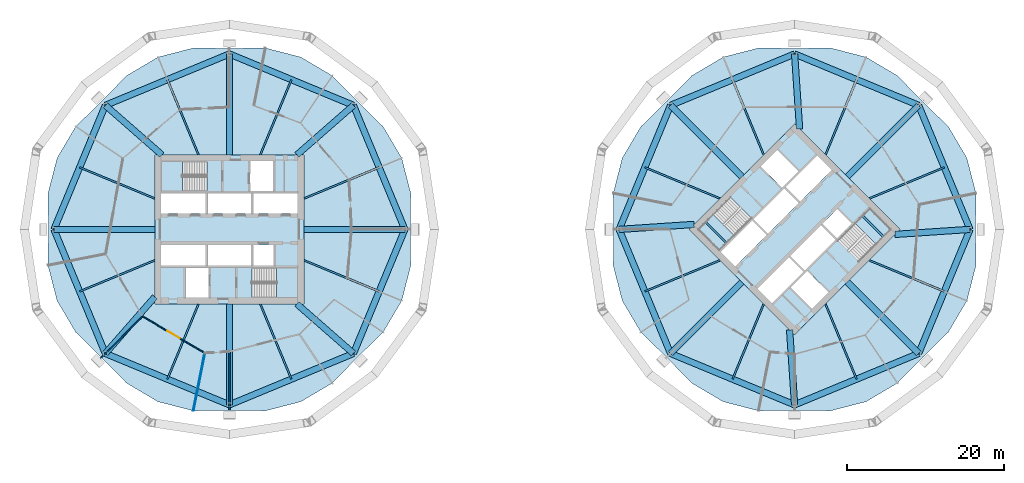
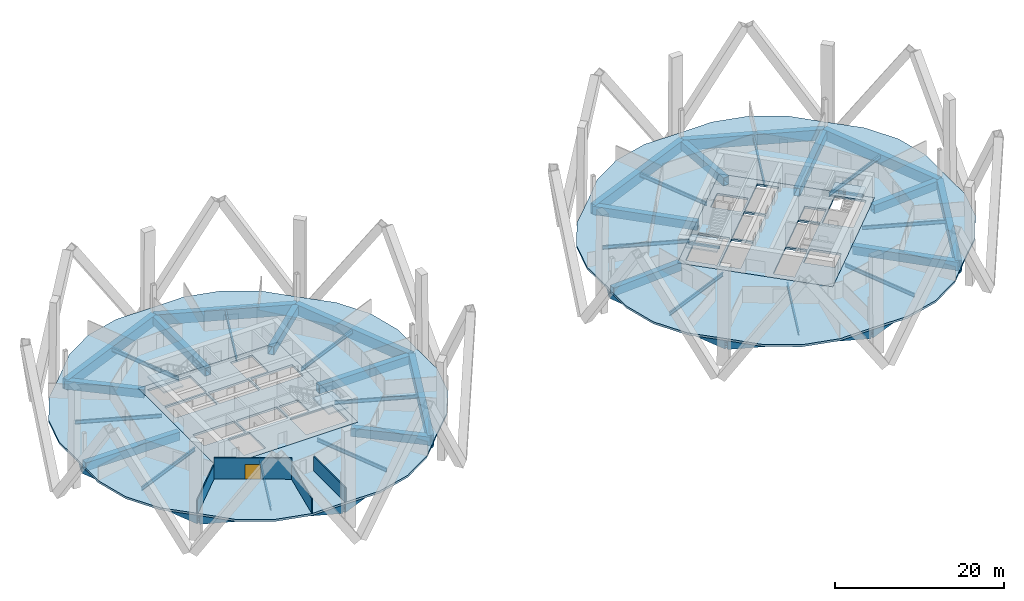
# One storey, part 3 of 10: 50 beams, 8 slabs, 4 walls, 1 door, 1 opening, 4 elements without a shape of their own.
"""IFC4 building model written with IfcOpenShell, lengths in metres."""

from ifc_helpers import new_model, si_unit, direction, frame, frame_2d, origin, origin_2d, place, context, subcontext, project, spatial, polyline, rectangle, hollow_rectangle, i_section, outline, extrude, material, layer, layer_set, material_profile, profile_set, type_object, element, fill, aggregate, save


model = new_model("IFC4")

# Units and contexts
model_context = context("Model", 3, precision=1e-05, world=origin(), true_north=direction((0.0, 1.0)))
body_context = subcontext(model_context, "Body", "Model", "MODEL_VIEW")
ifc_project = project(units=[si_unit("LENGTHUNIT", "METRE"), si_unit("AREAUNIT", "SQUARE_METRE"), si_unit("VOLUMEUNIT", "CUBIC_METRE"), si_unit("PLANEANGLEUNIT", "RADIAN"), si_unit("MASSUNIT", "GRAM", prefix="KILO")], contexts=[model_context])

# Site, building, storey
site_placement = place(None, origin())
site = spatial("IfcSite", under=ifc_project, at=site_placement, CompositionType="ELEMENT")
building_placement = place(site_placement, origin())
building = spatial("IfcBuilding", under=site, at=building_placement, Name="Ogive Gate Towers", CompositionType="ELEMENT")
storey_placement = place(building_placement, frame((0.0, 0.0, 119.10009765625)))
storey = spatial("IfcBuildingStorey", under=building, at=storey_placement, Name="L28", CompositionType="ELEMENT", Elevation=119.10009765625)

# Beams
ifc_material_1 = material(Name="Steel SM460", Category="steel")
ifc_material_profile_1 = material_profile(ifc_material_1, hollow_rectangle(XDim=0.800048828125, YDim=1.5, WallThickness=0.06005859375, at=origin_2d()), Name="BX 1500x800x60")
ifc_profile_set_1 = profile_set([ifc_material_profile_1], Name="Steel SM460")
beam_type_1 = type_object("IfcBeamType", Name="Edge girder BX 1500x800x60", PredefinedType="BEAM", material=ifc_profile_set_1)
for number, where, z_axis, x_axis, name in (
    (1, (-51.803955078125, -15.803955078125, -1.050048828125), (0.923880978344, -0.382679941797, 0.0), (0.382679941797, 0.923880978344, 0.0), "T1/L28/SBM017"),
    (2, (-36.0, -22.35009765625, -1.050048828125), (0.923880978344, 0.382679941797, 0.0), (-0.382679941797, 0.923880978344, 0.0), "T1/L28/SBM018"),
    (3, (-20.196044921875, -15.803955078125, -1.050048828125), (0.382679941797, 0.923880978344, 0.0), (-0.923880978344, 0.382679941797, 0.0), "T1/L28/SBM019"),
    (4, (-13.64990234375, 0.0, -1.050048828125), (-0.382679941797, 0.923880978344, 0.0), (-0.923880978344, -0.382679941797, 0.0), "T1/L28/SBM020"),
    (5, (-20.196044921875, 15.803955078125, -1.050048828125), (-0.923880978344, 0.382679941797, 0.0), (-0.382679941797, -0.923880978344, 0.0), "T1/L28/SBM021"),
    (6, (-36.0, 22.35009765625, -1.050048828125), (-0.923880978344, -0.382679941797, 0.0), (0.382679941797, -0.923880978344, 0.0), "T1/L28/SBM022"),
    (7, (-51.803955078125, 15.803955078125, -1.050048828125), (-0.382679941797, -0.923880978344, 0.0), (0.923880978344, -0.382679941797, 0.0), "T1/L28/SBM023"),
    (8, (-58.35009765625, 0.0, -1.050048828125), (0.382679941797, -0.923880978344, 0.0), (0.923880978344, 0.382679941797, 0.0), "T1/L28/SBM024"),
    (9, (20.196044921875, -15.803955078125, -1.050048828125), (0.923880978344, -0.382679941797, 0.0), (0.382679941797, 0.923880978344, 0.0), "T2/L28/SBM017"),
    (10, (36.0, -22.35009765625, -1.050048828125), (0.923880978344, 0.382679941797, 0.0), (-0.382679941797, 0.923880978344, 0.0), "T2/L28/SBM018"),
    (11, (51.803955078125, -15.803955078125, -1.050048828125), (0.382679941797, 0.923880978344, 0.0), (-0.923880978344, 0.382679941797, 0.0), "T2/L28/SBM019"),
    (12, (58.35009765625, 0.0, -1.050048828125), (-0.382679941797, 0.923880978344, 0.0), (-0.923880978344, -0.382679941797, 0.0), "T2/L28/SBM020"),
    (13, (51.803955078125, 15.803955078125, -1.050048828125), (-0.923880978344, 0.382679941797, 0.0), (-0.382679941797, -0.923880978344, 0.0), "T2/L28/SBM021"),
    (14, (36.0, 22.35009765625, -1.050048828125), (-0.923880978344, -0.382679941797, 0.0), (0.382679941797, -0.923880978344, 0.0), "T2/L28/SBM022"),
    (15, (20.196044921875, 15.803955078125, -1.050048828125), (-0.382679941797, -0.923880978344, 0.0), (0.923880978344, -0.382679941797, 0.0), "T2/L28/SBM023"),
    (16, (13.64990234375, 0.0, -1.050048828125), (0.382679941797, -0.923880978344, 0.0), (0.923880978344, 0.382679941797, 0.0), "T2/L28/SBM024"),
):
    element("IfcBeam", number, at=place(storey_placement, frame(where, z_axis=z_axis, x_axis=x_axis)), inside=storey, type_object=beam_type_1, Name=name, PredefinedType="BEAM", context=body_context, shape_type="SweptSolid", body=[
        extrude(hollow_rectangle(XDim=0.800048828125, YDim=1.5, WallThickness=0.06005859375, at=origin_2d()), origin(), (0.0, 0.0, 1.0), 17.10595703125),
    ])
ifc_material_2 = material(Name="Concrete C40/50", Category="concrete")
ifc_material_profile_2 = material_profile(ifc_material_2, rectangle(XDim=0.25, YDim=0.300048828125, at=origin_2d()), Name="RC 250x300")
ifc_profile_set_2 = profile_set([ifc_material_profile_2], Name="Concrete C40/50")
beam_type_2 = type_object("IfcBeamType", Name="Landing bearer RC 250x300", PredefinedType="BEAM", material=ifc_profile_set_2)
for number, where, z_axis, x_axis, name in (
    (17, (24.650390625, 0.9541015625, 1.599853515625), (0.707106781187, -0.707106781187, 0.0), (0.707106781187, 0.707106781187, 0.0), "T2 L28 stair 1 landing bearer 1"),
    (18, (47.349609375, -0.9541015625, 1.599853515625), (-0.707106781187, 0.707106781187, 0.0), (-0.707106781187, -0.707106781187, 0.0), "T2 L28 stair 2 landing bearer 1"),
):
    element("IfcBeam", number, at=place(storey_placement, frame(where, z_axis=z_axis, x_axis=x_axis)), inside=storey, type_object=beam_type_2, Name=name, PredefinedType="BEAM", context=body_context, shape_type="SweptSolid", body=[
        extrude(rectangle(XDim=0.25, YDim=0.300048828125, at=origin_2d()), origin(), (0.0, 0.0, 1.0), 3.824951171875),
    ])
ifc_material_3 = material(Name="Steel SM355", Category="steel")
ifc_material_profile_3 = material_profile(ifc_material_3, i_section(OverallWidth=0.2099609375, OverallDepth=0.550048828125, WebThickness=0.010986328125, FlangeThickness=0.01708984375, FilletRadius=0.02392578125, at=origin_2d()), Name="IPE 550")
ifc_profile_set_3 = profile_set([ifc_material_profile_3], Name="Steel SM355")
beam_type_3 = type_object("IfcBeamType", Name="Radial floor beam IPE 550", PredefinedType="BEAM", material=ifc_profile_set_3)
for number, where, z_axis, x_axis, name in (
    (19, (-39.93505859375, -9.5, -0.5751953125), (-0.382676287498, -0.92388249198, 0.0), (0.92388249198, -0.382676287498, 0.0), "T1/L28/SBM002"),
    (20, (-32.06494140625, -9.5, -0.5751953125), (0.382676287498, -0.92388249198, 0.0), (0.92388249198, 0.382676287498, 0.0), "T1/L28/SBM004"),
    (21, (-26.5, -3.93505859375, -0.5751953125), (0.92388249198, -0.382676287498, 0.0), (0.382676287498, 0.92388249198, 0.0), "T1/L28/SBM006"),
    (22, (-26.5, 3.93505859375, -0.5751953125), (0.92388249198, 0.382676287498, 0.0), (-0.382676287498, 0.92388249198, 0.0), "T1/L28/SBM008"),
    (23, (-32.06494140625, 9.5, -0.5751953125), (0.382676287498, 0.92388249198, 0.0), (-0.92388249198, 0.382676287498, 0.0), "T1/L28/SBM010"),
    (24, (-39.93505859375, 9.5, -0.5751953125), (-0.382676287498, 0.92388249198, 0.0), (-0.92388249198, -0.382676287498, 0.0), "T1/L28/SBM012"),
    (25, (-45.5, 3.93505859375, -0.5751953125), (-0.92388249198, 0.382676287498, 0.0), (-0.382676287498, -0.92388249198, 0.0), "T1/L28/SBM014"),
    (26, (-45.5, -3.93505859375, -0.5751953125), (-0.92388249198, -0.382676287498, 0.0), (0.382676287498, -0.92388249198, 0.0), "T1/L28/SBM016"),
    (27, (32.06494140625, -9.5, -0.5751953125), (-0.382676287498, -0.92388249198, 0.0), (0.92388249198, -0.382676287498, 0.0), "T2/L28/SBM002"),
    (28, (39.93505859375, -9.5, -0.5751953125), (0.382676287498, -0.92388249198, 0.0), (0.92388249198, 0.382676287498, 0.0), "T2/L28/SBM004"),
    (29, (45.5, -3.93505859375, -0.5751953125), (0.92388249198, -0.382676287498, 0.0), (0.382676287498, 0.92388249198, 0.0), "T2/L28/SBM006"),
    (30, (45.5, 3.93505859375, -0.5751953125), (0.92388249198, 0.382676287498, 0.0), (-0.382676287498, 0.92388249198, 0.0), "T2/L28/SBM008"),
    (31, (39.93505859375, 9.5, -0.5751953125), (0.382676287498, 0.92388249198, 0.0), (-0.92388249198, 0.382676287498, 0.0), "T2/L28/SBM010"),
    (32, (32.06494140625, 9.5, -0.5751953125), (-0.382676287498, 0.92388249198, 0.0), (-0.92388249198, -0.382676287498, 0.0), "T2/L28/SBM012"),
    (33, (26.5, 3.93505859375, -0.5751953125), (-0.92388249198, 0.382676287498, 0.0), (-0.382676287498, -0.92388249198, 0.0), "T2/L28/SBM014"),
    (34, (26.5, -3.93505859375, -0.5751953125), (-0.92388249198, -0.382676287498, 0.0), (0.382676287498, -0.92388249198, 0.0), "T2/L28/SBM016"),
):
    element("IfcBeam", number, at=place(storey_placement, frame(where, z_axis=z_axis, x_axis=x_axis)), inside=storey, type_object=beam_type_3, Name=name, PredefinedType="BEAM", context=body_context, shape_type="SweptSolid", body=[
        extrude(i_section(OverallWidth=0.2099609375, OverallDepth=0.550048828125, WebThickness=0.010986328125, FlangeThickness=0.01708984375, FilletRadius=0.02392578125, at=origin_2d()), origin(), (0.0, 0.0, 1.0), 10.365966796875),
    ])
ifc_material_profile_4 = material_profile(ifc_material_1, hollow_rectangle(XDim=0.800048828125, YDim=1.199951171875, WallThickness=0.050048828125, at=origin_2d()), Name="BX 1200x800x50")
ifc_profile_set_4 = profile_set([ifc_material_profile_4], Name="Steel SM460")
beam_type_4 = type_object("IfcBeamType", Name="Transfer radial beam BX 1200x800x50", PredefinedType="BEAM", material=ifc_profile_set_4)
beam_1_placement = place(storey_placement, frame((-45.5, -8.60009765625, -0.900146484375), z_axis=(-0.658538913457, -0.752546675937, 0.0), x_axis=(0.752546675937, -0.658538913457, 0.0)))
element("IfcBeam", 35, at=beam_1_placement, inside=storey, type_object=beam_type_4, Name="T1/L28/SBM001", PredefinedType="BEAM", context=body_context, shape_type="SweptSolid", body=[
    extrude(hollow_rectangle(XDim=0.800048828125, YDim=1.199951171875, WallThickness=0.050048828125, at=origin_2d()), origin(), (0.0, 0.0, 1.0), 9.57275390625),
])
beam_2_placement = place(storey_placement, frame((-36.0, -9.5, -0.900146484375), z_axis=(0.0, -1.0, 0.0), x_axis=(1.0, 0.0, 0.0)))
element("IfcBeam", 36, at=beam_2_placement, inside=storey, type_object=beam_type_4, Name="T1/L28/SBM003", PredefinedType="BEAM", context=body_context, shape_type="SweptSolid", body=[
    extrude(hollow_rectangle(XDim=0.800048828125, YDim=1.199951171875, WallThickness=0.050048828125, at=origin_2d()), origin(), (0.0, 0.0, 1.0), 12.85009765625),
])
beam_3_placement = place(storey_placement, frame((-27.39990234375, -9.5, -0.900146484375), z_axis=(0.752546675937, -0.658538913457, 0.0), x_axis=(0.658538913457, 0.752546675937, 0.0)))
element("IfcBeam", 37, at=beam_3_placement, inside=storey, type_object=beam_type_4, Name="T1/L28/SBM005", PredefinedType="BEAM", context=body_context, shape_type="SweptSolid", body=[
    extrude(hollow_rectangle(XDim=0.800048828125, YDim=1.199951171875, WallThickness=0.050048828125, at=origin_2d()), origin(), (0.0, 0.0, 1.0), 9.57275390625),
])
beam_4_placement = place(storey_placement, frame((-26.5, 0.0, -0.900146484375), z_axis=(1.0, 0.0, 0.0), x_axis=(0.0, 1.0, 0.0)))
element("IfcBeam", 38, at=beam_4_placement, inside=storey, type_object=beam_type_4, Name="T1/L28/SBM007", PredefinedType="BEAM", context=body_context, shape_type="SweptSolid", body=[
    extrude(hollow_rectangle(XDim=0.800048828125, YDim=1.199951171875, WallThickness=0.050048828125, at=origin_2d()), origin(), (0.0, 0.0, 1.0), 12.85009765625),
])
beam_5_placement = place(storey_placement, frame((-27.39990234375, 9.5, -0.900146484375), z_axis=(0.752546675937, 0.658538913457, 0.0), x_axis=(-0.658538913457, 0.752546675937, 0.0)))
element("IfcBeam", 39, at=beam_5_placement, inside=storey, type_object=beam_type_4, Name="T1/L28/SBM009", PredefinedType="BEAM", context=body_context, shape_type="SweptSolid", body=[
    extrude(hollow_rectangle(XDim=0.800048828125, YDim=1.199951171875, WallThickness=0.050048828125, at=origin_2d()), origin(), (0.0, 0.0, 1.0), 9.57275390625),
])
beam_6_placement = place(storey_placement, frame((-36.0, 9.5, -0.900146484375), z_axis=(0.0, 1.0, 0.0), x_axis=(-1.0, 0.0, 0.0)))
element("IfcBeam", 40, at=beam_6_placement, inside=storey, type_object=beam_type_4, Name="T1/L28/SBM011", PredefinedType="BEAM", context=body_context, shape_type="SweptSolid", body=[
    extrude(hollow_rectangle(XDim=0.800048828125, YDim=1.199951171875, WallThickness=0.050048828125, at=origin_2d()), origin(), (0.0, 0.0, 1.0), 12.85009765625),
])
beam_7_placement = place(storey_placement, frame((-44.60009765625, 9.5, -0.900146484375), z_axis=(-0.752546675937, 0.658538913457, 0.0), x_axis=(-0.658538913457, -0.752546675937, 0.0)))
element("IfcBeam", 41, at=beam_7_placement, inside=storey, type_object=beam_type_4, Name="T1/L28/SBM013", PredefinedType="BEAM", context=body_context, shape_type="SweptSolid", body=[
    extrude(hollow_rectangle(XDim=0.800048828125, YDim=1.199951171875, WallThickness=0.050048828125, at=origin_2d()), origin(), (0.0, 0.0, 1.0), 9.57275390625),
])
for number, where, z_axis, x_axis, name in (
    (42, (-45.5, 0.0, -0.900146484375), (-1.0, 0.0, 0.0), (0.0, -1.0, 0.0), "T1/L28/SBM015"),
    (43, (29.282470703125, -6.717529296875, -0.900146484375), (-0.707106781187, -0.707106781187, 0.0), (0.707106781187, -0.707106781187, 0.0), "T2/L28/SBM001"),
):
    element("IfcBeam", number, at=place(storey_placement, frame(where, z_axis=z_axis, x_axis=x_axis)), inside=storey, type_object=beam_type_4, Name=name, PredefinedType="BEAM", context=body_context, shape_type="SweptSolid", body=[
        extrude(hollow_rectangle(XDim=0.800048828125, YDim=1.199951171875, WallThickness=0.050048828125, at=origin_2d()), origin(), (0.0, 0.0, 1.0), 12.85009765625),
    ])
beam_8_placement = place(storey_placement, frame((35.363525390625, -12.798583984375, -0.900146484375), z_axis=(0.066488541289, -0.997787188672, 0.0), x_axis=(0.997787188672, 0.066488541289, 0.0)))
element("IfcBeam", 44, at=beam_8_placement, inside=storey, type_object=beam_type_4, Name="T2/L28/SBM003", PredefinedType="BEAM", context=body_context, shape_type="SweptSolid", body=[
    extrude(hollow_rectangle(XDim=0.800048828125, YDim=1.199951171875, WallThickness=0.050048828125, at=origin_2d()), origin(), (0.0, 0.0, 1.0), 9.57275390625),
])
beam_9_placement = place(storey_placement, frame((42.717529296875, -6.717529296875, -0.900146484375), z_axis=(0.707106781187, -0.707106781187, 0.0), x_axis=(0.707106781187, 0.707106781187, 0.0)))
element("IfcBeam", 45, at=beam_9_placement, inside=storey, type_object=beam_type_4, Name="T2/L28/SBM005", PredefinedType="BEAM", context=body_context, shape_type="SweptSolid", body=[
    extrude(hollow_rectangle(XDim=0.800048828125, YDim=1.199951171875, WallThickness=0.050048828125, at=origin_2d()), origin(), (0.0, 0.0, 1.0), 12.85009765625),
])
beam_10_placement = place(storey_placement, frame((48.798583984375, -0.636474609375, -0.900146484375), z_axis=(0.997787188672, 0.066488541289, 0.0), x_axis=(-0.066488541289, 0.997787188672, 0.0)))
element("IfcBeam", 46, at=beam_10_placement, inside=storey, type_object=beam_type_4, Name="T2/L28/SBM007", PredefinedType="BEAM", context=body_context, shape_type="SweptSolid", body=[
    extrude(hollow_rectangle(XDim=0.800048828125, YDim=1.199951171875, WallThickness=0.050048828125, at=origin_2d()), origin(), (0.0, 0.0, 1.0), 9.57275390625),
])
beam_11_placement = place(storey_placement, frame((42.717529296875, 6.717529296875, -0.900146484375), z_axis=(0.707106781187, 0.707106781187, 0.0), x_axis=(-0.707106781187, 0.707106781187, 0.0)))
element("IfcBeam", 47, at=beam_11_placement, inside=storey, type_object=beam_type_4, Name="T2/L28/SBM009", PredefinedType="BEAM", context=body_context, shape_type="SweptSolid", body=[
    extrude(hollow_rectangle(XDim=0.800048828125, YDim=1.199951171875, WallThickness=0.050048828125, at=origin_2d()), origin(), (0.0, 0.0, 1.0), 12.85009765625),
])
beam_12_placement = place(storey_placement, frame((36.636474609375, 12.798583984375, -0.900146484375), z_axis=(-0.066488541289, 0.997787188672, 0.0), x_axis=(-0.997787188672, -0.066488541289, 0.0)))
element("IfcBeam", 48, at=beam_12_placement, inside=storey, type_object=beam_type_4, Name="T2/L28/SBM011", PredefinedType="BEAM", context=body_context, shape_type="SweptSolid", body=[
    extrude(hollow_rectangle(XDim=0.800048828125, YDim=1.199951171875, WallThickness=0.050048828125, at=origin_2d()), origin(), (0.0, 0.0, 1.0), 9.57275390625),
])
beam_13_placement = place(storey_placement, frame((29.282470703125, 6.717529296875, -0.900146484375), z_axis=(-0.707106781187, 0.707106781187, 0.0), x_axis=(-0.707106781187, -0.707106781187, 0.0)))
element("IfcBeam", 49, at=beam_13_placement, inside=storey, type_object=beam_type_4, Name="T2/L28/SBM013", PredefinedType="BEAM", context=body_context, shape_type="SweptSolid", body=[
    extrude(hollow_rectangle(XDim=0.800048828125, YDim=1.199951171875, WallThickness=0.050048828125, at=origin_2d()), origin(), (0.0, 0.0, 1.0), 12.85009765625),
])
beam_14_placement = place(storey_placement, frame((23.201416015625, 0.636474609375, -0.900146484375), z_axis=(-0.997787188672, -0.066488541289, 0.0), x_axis=(0.066488541289, -0.997787188672, 0.0)))
element("IfcBeam", 50, at=beam_14_placement, inside=storey, type_object=beam_type_4, Name="T2/L28/SBM015", PredefinedType="BEAM", context=body_context, shape_type="SweptSolid", body=[
    extrude(hollow_rectangle(XDim=0.800048828125, YDim=1.199951171875, WallThickness=0.050048828125, at=origin_2d()), origin(), (0.0, 0.0, 1.0), 9.57275390625),
])

# Slabs
ifc_layer_1 = layer(ifc_material_2, 0.300048828125)
ifc_layer_set_1 = layer_set([ifc_layer_1], Name="Core slab C40/50 300 mm")
slab_type_1 = type_object("IfcSlabType", Name="Core slab C40/50 300 mm", PredefinedType="FLOOR", material=ifc_layer_set_1)
slab_1_placement = place(storey_placement, frame((0.0, 0.0, -0.300048828125)))
element("IfcSlab", 51, at=slab_1_placement, inside=storey, type_object=slab_type_1, Name="T1 L28 core slab", PredefinedType="FLOOR", context=body_context, shape_type="SweptSolid", body=[
    extrude(outline(polyline([(-26.5, 9.5), (-26.5, -9.5), (-45.5, -9.5), (-45.5, 9.5), (-26.5, 9.5)]), holes=[polyline([(-39.02490234375, 4.625), (-44.699951171875, 4.625), (-44.699951171875, 2.0), (-39.02490234375, 2.0), (-39.02490234375, 4.625)]), polyline([(-33.22509765625, 2.0), (-33.22509765625, 4.625), (-38.77490234375, 4.625), (-38.77490234375, 2.0), (-33.22509765625, 2.0)]), polyline([(-32.97509765625, 2.0), (-27.300048828125, 2.0), (-27.300048828125, 4.625), (-32.97509765625, 4.625), (-32.97509765625, 2.0)]), polyline([(-44.699951171875, -2.0), (-44.699951171875, -4.625), (-39.02490234375, -4.625), (-39.02490234375, -2.0), (-44.699951171875, -2.0)]), polyline([(-33.22509765625, -2.0), (-38.77490234375, -2.0), (-38.77490234375, -4.625), (-33.22509765625, -4.625), (-33.22509765625, -2.0)]), polyline([(-30.324951171875, -4.625), (-30.324951171875, -2.0), (-32.97509765625, -2.0), (-32.97509765625, -4.625), (-30.324951171875, -4.625)]), polyline([(-33.375, 4.875), (-30.425048828125, 4.875), (-30.425048828125, 8.699951171875), (-33.375, 8.699951171875), (-33.375, 4.875)]), polyline([(-41.574951171875, -4.875), (-41.574951171875, -8.699951171875), (-38.625, -8.699951171875), (-38.625, -4.875), (-41.574951171875, -4.875)]), polyline([(-44.699951171875, 4.875), (-38.885009765625, 4.875), (-38.885009765625, 8.699951171875), (-44.699951171875, 8.699951171875), (-44.699951171875, 4.875)]), polyline([(-27.300048828125, -8.699951171875), (-27.300048828125, -4.875), (-33.114990234375, -4.875), (-33.114990234375, -8.699951171875), (-27.300048828125, -8.699951171875)])]), origin(), (0.0, 0.0, 1.0), 0.300048828125),
])
slab_2_placement = place(storey_placement, frame((0.0, 0.0, -0.300048828125)))
element("IfcSlab", 52, at=slab_2_placement, inside=storey, type_object=slab_type_1, Name="T2 L28 core slab", PredefinedType="FLOOR", context=body_context, shape_type="SweptSolid", body=[
    extrude(outline(polyline([(36.0, 13.43505859375), (49.43505859375, 0.0), (36.0, -13.43505859375), (22.56494140625, 0.0), (36.0, 13.43505859375)]), holes=[polyline([(30.590576171875, 1.13134765625), (26.577880859375, -2.881591796875), (28.43408203125, -4.737548828125), (32.44677734375, -0.724853515625), (30.590576171875, 1.13134765625)]), polyline([(36.548095703125, 3.37646484375), (34.69189453125, 5.232666015625), (30.767333984375, 1.30810546875), (32.62353515625, -0.548095703125), (36.548095703125, 3.37646484375)]), polyline([(36.724853515625, 3.55322265625), (40.737548828125, 7.56591796875), (38.881591796875, 9.422119140625), (34.86865234375, 5.409423828125), (36.724853515625, 3.55322265625)]), polyline([(31.262451171875, -7.56591796875), (33.118408203125, -9.422119140625), (37.13134765625, -5.409423828125), (35.275146484375, -3.55322265625), (31.262451171875, -7.56591796875)]), polyline([(39.37646484375, 0.548095703125), (35.451904296875, -3.37646484375), (37.30810546875, -5.232666015625), (41.232666015625, -1.30810546875), (39.37646484375, 0.548095703125)]), polyline([(43.283203125, 0.742431640625), (41.427001953125, 2.5986328125), (39.55322265625, 0.724853515625), (41.409423828125, -1.13134765625), (43.283203125, 0.742431640625)]), polyline([(34.408935546875, 5.30322265625), (36.4951171875, 7.389404296875), (33.790283203125, 10.093994140625), (31.704345703125, 8.008056640625), (34.408935546875, 5.30322265625)]), polyline([(35.5048828125, -7.389404296875), (38.209716796875, -10.093994140625), (40.295654296875, -8.008056640625), (37.591064453125, -5.30322265625), (35.5048828125, -7.389404296875)]), polyline([(26.40087890625, -2.70458984375), (30.512939453125, 1.406982421875), (27.80810546875, 4.11181640625), (23.6962890625, 0.0), (26.40087890625, -2.70458984375)]), polyline([(48.3037109375, 0.0), (45.59912109375, 2.70458984375), (41.487060546875, -1.406982421875), (44.19189453125, -4.11181640625), (48.3037109375, 0.0)])]), origin(), (0.0, 0.0, 1.0), 0.300048828125),
])
ifc_material_4 = material(Name="Concrete C35/45", Category="concrete")
ifc_layer_2 = layer(ifc_material_4, 0.300048828125)
ifc_layer_set_2 = layer_set([ifc_layer_2], Name="Floor slab 300")
slab_type_2 = type_object("IfcSlabType", Name="Floor slab 300", PredefinedType="FLOOR", material=ifc_layer_set_2)
slab_3_placement = place(storey_placement, frame((0.0, 0.0, -0.300048828125)))
element("IfcSlab", 53, at=slab_3_placement, inside=storey, type_object=slab_type_2, Name="T1/L28/SSL001", PredefinedType="FLOOR", context=body_context, shape_type="SweptSolid", body=[
    extrude(outline(polyline([(-12.892578125, -4.596435546875), (-12.93994140625, 0.0), (-12.892578125, 4.596435546875), (-14.048583984375, 9.092529296875), (-16.41064453125, 13.08935546875), (-19.694091796875, 16.305908203125), (-22.91064453125, 19.58935546875), (-26.907470703125, 21.951416015625), (-31.403564453125, 23.107421875), (-36.0, 23.06005859375), (-40.596435546875, 23.107421875), (-45.092529296875, 21.951416015625), (-49.08935546875, 19.58935546875), (-52.305908203125, 16.305908203125), (-55.58935546875, 13.08935546875), (-57.951416015625, 9.092529296875), (-59.107421875, 4.596435546875), (-59.06005859375, 0.0), (-59.107421875, -4.596435546875), (-57.951416015625, -9.092529296875), (-55.58935546875, -13.08935546875), (-52.305908203125, -16.305908203125), (-49.08935546875, -19.58935546875), (-45.092529296875, -21.951416015625), (-40.596435546875, -23.107421875), (-36.0, -23.06005859375), (-31.403564453125, -23.107421875), (-26.907470703125, -21.951416015625), (-22.91064453125, -19.58935546875), (-19.694091796875, -16.305908203125), (-16.41064453125, -13.08935546875), (-14.048583984375, -9.092529296875), (-12.892578125, -4.596435546875)]), holes=[polyline([(-26.5, -9.5), (-45.5, -9.5), (-45.5, 9.5), (-26.5, 9.5), (-26.5, -9.5)])]), origin(), (0.0, 0.0, 1.0), 0.300048828125),
])
slab_4_placement = place(storey_placement, frame((0.0, 0.0, -0.300048828125)))
element("IfcSlab", 54, at=slab_4_placement, inside=storey, type_object=slab_type_2, Name="T2/L28/SSL001", PredefinedType="FLOOR", context=body_context, shape_type="SweptSolid", body=[
    extrude(outline(polyline([(59.107421875, -4.596435546875), (59.06005859375, 0.0), (59.107421875, 4.596435546875), (57.951416015625, 9.092529296875), (55.58935546875, 13.08935546875), (52.305908203125, 16.305908203125), (49.08935546875, 19.58935546875), (45.092529296875, 21.951416015625), (40.596435546875, 23.107421875), (36.0, 23.06005859375), (31.403564453125, 23.107421875), (26.907470703125, 21.951416015625), (22.91064453125, 19.58935546875), (19.694091796875, 16.305908203125), (16.41064453125, 13.08935546875), (14.048583984375, 9.092529296875), (12.892578125, 4.596435546875), (12.93994140625, 0.0), (12.892578125, -4.596435546875), (14.048583984375, -9.092529296875), (16.41064453125, -13.08935546875), (19.694091796875, -16.305908203125), (22.91064453125, -19.58935546875), (26.907470703125, -21.951416015625), (31.403564453125, -23.107421875), (36.0, -23.06005859375), (40.596435546875, -23.107421875), (45.092529296875, -21.951416015625), (49.08935546875, -19.58935546875), (52.305908203125, -16.305908203125), (55.58935546875, -13.08935546875), (57.951416015625, -9.092529296875), (59.107421875, -4.596435546875)]), holes=[polyline([(49.43505859375, 0.0), (36.0, -13.43505859375), (22.56494140625, 0.0), (36.0, 13.43505859375), (49.43505859375, 0.0)])]), origin(), (0.0, 0.0, 1.0), 0.300048828125),
])

# Stair, slab
stair_type = type_object("IfcStairType", Name="Escape stair 1840 wide", PredefinedType="HALF_TURN_STAIR", material=ifc_material_2)
stair_1_placement = place(storey_placement, origin())
stair_1 = element("IfcStair", 55, at=stair_1_placement, inside=storey, type_object=stair_type, Name="L28 Escape stair 1", PredefinedType="HALF_TURN_STAIR")
ifc_layer_3 = layer(ifc_material_2, 0.199951171875)
ifc_layer_set_3 = layer_set([ifc_layer_3], Name="Stair landing 200 mm")
slab_type_3 = type_object("IfcSlabType", Name="Stair landing 200 mm", PredefinedType="LANDING", material=ifc_layer_set_3)
slab_5_placement = place(storey_placement, frame((0.0, 0.0, 1.75)))
slab_5 = element("IfcSlab", 56, at=slab_5_placement, type_object=slab_type_3, Name="ST1 landing 1", PredefinedType="LANDING", context=body_context, shape_type="SweptSolid", body=[
    extrude(outline(polyline([(-42.00146484375, 8.699951171875), (-44.699951171875, 8.699951171875), (-44.699951171875, 4.875), (-42.00146484375, 4.875), (-42.00146484375, 8.699951171875)])), origin(), (0.0, 0.0, 1.0), 0.199951171875),
])
aggregate(stair_1, [slab_5])

stair_2_placement = place(storey_placement, origin())
stair_2 = element("IfcStair", 57, at=stair_2_placement, inside=storey, type_object=stair_type, Name="L28 Escape stair 2", PredefinedType="HALF_TURN_STAIR")
slab_6_placement = place(storey_placement, frame((0.0, 0.0, 1.75)))
slab_6 = element("IfcSlab", 58, at=slab_6_placement, type_object=slab_type_3, Name="ST2 landing 1", PredefinedType="LANDING", context=body_context, shape_type="SweptSolid", body=[
    extrude(outline(polyline([(-29.99853515625, -8.699951171875), (-27.300048828125, -8.699951171875), (-27.300048828125, -4.875), (-29.99853515625, -4.875), (-29.99853515625, -8.699951171875)])), origin(), (0.0, 0.0, 1.0), 0.199951171875),
])
aggregate(stair_2, [slab_6])

stair_3_placement = place(storey_placement, origin())
stair_3 = element("IfcStair", 59, at=stair_3_placement, inside=storey, type_object=stair_type, Name="L28 Escape stair 1", PredefinedType="HALF_TURN_STAIR")
slab_7_placement = place(storey_placement, frame((0.0, 0.0, 1.75)))
slab_7 = element("IfcSlab", 60, at=slab_7_placement, type_object=slab_type_3, Name="ST1 landing 1", PredefinedType="LANDING", context=body_context, shape_type="SweptSolid", body=[
    extrude(outline(polyline([(25.6044921875, 1.908203125), (23.6962890625, 0.0), (26.401123046875, -2.70458984375), (28.309326171875, -0.79638671875), (25.6044921875, 1.908203125)])), origin(), (0.0, 0.0, 1.0), 0.199951171875),
])
aggregate(stair_3, [slab_7])

stair_4_placement = place(storey_placement, origin())
stair_4 = element("IfcStair", 61, at=stair_4_placement, inside=storey, type_object=stair_type, Name="L28 Escape stair 2", PredefinedType="HALF_TURN_STAIR")
slab_8_placement = place(storey_placement, frame((0.0, 0.0, 1.75)))
slab_8 = element("IfcSlab", 62, at=slab_8_placement, type_object=slab_type_3, Name="ST2 landing 1", PredefinedType="LANDING", context=body_context, shape_type="SweptSolid", body=[
    extrude(outline(polyline([(46.3955078125, -1.908203125), (48.3037109375, 0.0), (45.598876953125, 2.70458984375), (43.690673828125, 0.79638671875), (46.3955078125, -1.908203125)])), origin(), (0.0, 0.0, 1.0), 0.199951171875),
])
aggregate(stair_4, [slab_8])

# Walls
ifc_material_5 = material(Name="Gypsum board acoustic partition")
ifc_layer_4 = layer(ifc_material_5, 0.175048828125)
ifc_layer_set_4 = layer_set([ifc_layer_4], Name="Acoustic partition 175")
wall_type_1 = type_object("IfcWallType", Name="Acoustic partition 175", PredefinedType="PARTITIONING", material=ifc_layer_set_4)
wall_1_placement = place(storey_placement, frame((-36.0, -23.05908203125, 0.0), z_axis=(0.0, 0.0, 1.0), x_axis=(0.0, 1.0, 0.0)))
element("IfcWall", 63, at=wall_1_placement, inside=storey, type_object=wall_type_1, Name="Partition T1-L28-011", PredefinedType="PARTITIONING", context=body_context, shape_type="SweptSolid", body=[
    extrude(rectangle(XDim=7.41162109375, YDim=0.175048828125, at=frame_2d((3.705810546875, 0.0))), origin(), (0.0, 0.0, 1.0), 2.099853515625),
])
ifc_material_6 = material(Name="Gypsum board partition")
ifc_layer_5 = layer(ifc_material_6, 0.125)
ifc_layer_set_5 = layer_set([ifc_layer_5], Name="Partition 125")
wall_type_2 = type_object("IfcWallType", Name="Partition 125", PredefinedType="PARTITIONING", material=ifc_layer_set_5)
wall_2_placement = place(storey_placement, frame((-52.413330078125, -16.413330078125, 0.0), z_axis=(0.0, 0.0, 1.0), x_axis=(0.707106781187, 0.707106781187, 0.0)))
element("IfcWall", 64, at=wall_2_placement, inside=storey, type_object=wall_type_2, Name="Partition T1-L28-009", PredefinedType="PARTITIONING", context=body_context, shape_type="SweptSolid", body=[
    extrude(rectangle(XDim=7.489501953125, YDim=0.125, at=frame_2d((3.74462890625, 0.0))), origin(), (0.0, 0.0, 1.0), 2.099853515625),
])
wall_3_placement = place(storey_placement, frame((-40.5888671875, -23.1083984375, 0.0), z_axis=(0.0, 0.0, 1.0), x_axis=(0.194777518337, 0.980847449072, 0.0)))
element("IfcWall", 65, at=wall_3_placement, inside=storey, type_object=wall_type_2, Name="Partition T1-L28-010", PredefinedType="PARTITIONING", context=body_context, shape_type="SweptSolid", body=[
    extrude(rectangle(XDim=7.4365234375, YDim=0.125, at=frame_2d((3.71826171875, 0.0))), origin(), (0.0, 0.0, 1.0), 2.099853515625),
])

# Wall, opening, door
wall_4_placement = place(storey_placement, frame((-47.0732421875, -11.0732421875, 0.0), z_axis=(0.0, 0.0, 1.0), x_axis=(0.861644119386, -0.507512966856, 0.0)))
wall_4 = element("IfcWall", 66, at=wall_4_placement, inside=storey, type_object=wall_type_2, Name="Partition T1-L28-019", PredefinedType="PARTITIONING", context=body_context, shape_type="SweptSolid", body=[
    extrude(rectangle(XDim=9.220703125, YDim=0.125, at=frame_2d((4.6103515625, 0.0))), origin(), (0.0, 0.0, 1.0), 3.0498046875),
])
opening_placement = place(wall_4_placement, frame((3.7099609375, 0.0, 0.0)))
opening = element("IfcOpeningElement", 67, at=opening_placement, cuts=wall_4, Name="Opening T1-L28-D05", PredefinedType="OPENING", context=body_context, shape_type="SweptSolid", body=[
    extrude(rectangle(XDim=1.800048828125, YDim=2.10009765625, at=frame_2d((0.89990234375, 1.050048828125))), frame((0.0, 0.072509765625, 0.0), z_axis=(0.0, -1.0, 0.0), x_axis=(1.0, 0.0, 0.0)), (0.0, 0.0, 1.0), 0.14501953125),
])
ifc_material_7 = material(Name="Timber door", Category="wood")
door_type = type_object("IfcDoorType", Name="Door pair 1800", OperationType="NOTDEFINED", PredefinedType="DOOR", material=ifc_material_7)
door_placement = place(opening_placement, origin())
door = element("IfcDoor", 68, at=door_placement, inside=storey, type_object=door_type, Name="Door T1-L28-D05", OperationType="DOUBLE_DOOR_DOUBLE_SWING", OverallHeight=2.10009765625, OverallWidth=1.800048828125, PredefinedType="DOOR", context=body_context, shape_type="SweptSolid", body=[
    extrude(rectangle(XDim=1.800048828125, YDim=2.10009765625, at=frame_2d((0.89990234375, 1.050048828125))), frame((0.0, 0.02490234375, 0.0), z_axis=(0.0, -1.0, 0.0), x_axis=(1.0, 0.0, 0.0)), (0.0, 0.0, 1.0), 0.050048828125),
])
fill(opening, door)

save(model, "model.ifc")
